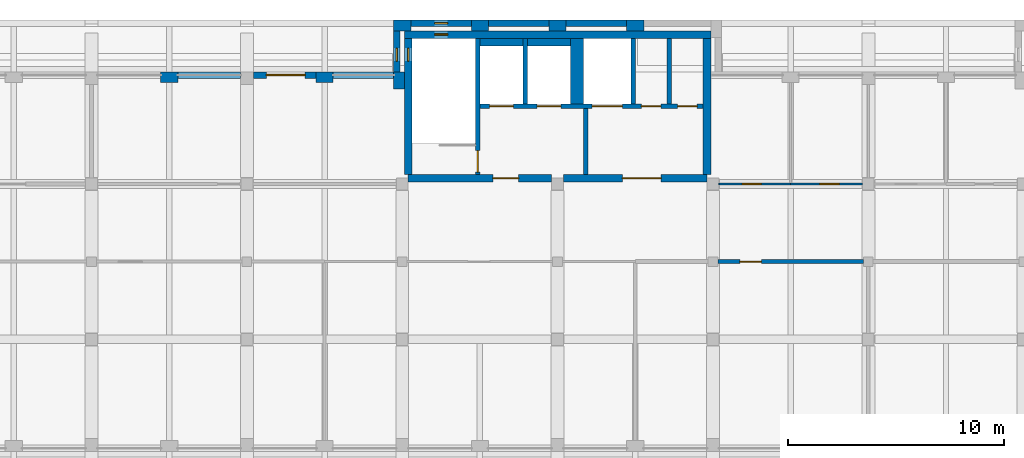
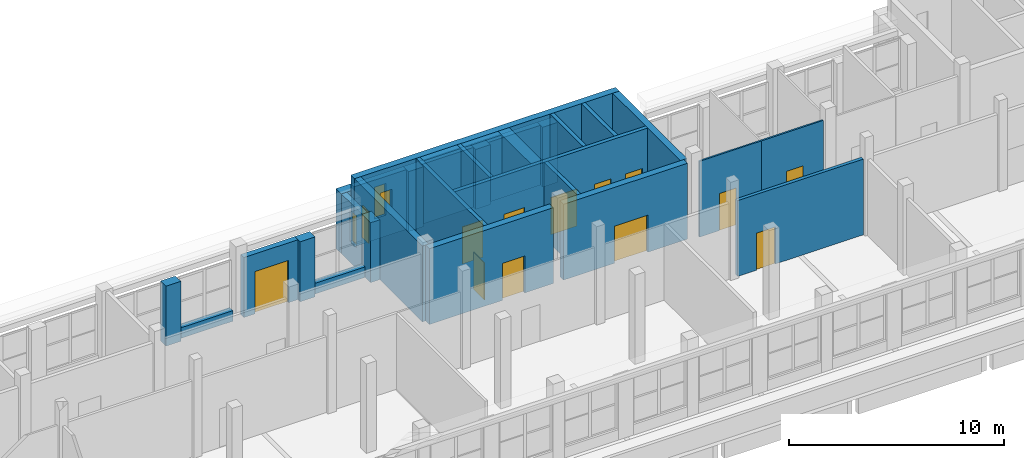
# One storey, part 19 of 30: 31 walls, 12 doors, 4 windows, 16 openings.
"""IFC4 building model written with IfcOpenShell, lengths in metres."""

from ifc_helpers import new_model, si_unit, direction, frame, frame_2d, origin, place, context, subcontext, project, spatial, rectangle, extrude, material, layer, layer_set, type_object, element, fill, save


model = new_model("IFC4")

# Units and contexts
model_context = context("Model", 3, precision=1e-05, world=origin(), true_north=direction((0.0, 1.0)))
body_context = subcontext(model_context, "Body", "Model", "MODEL_VIEW")
ifc_project = project(units=[si_unit("LENGTHUNIT", "METRE"), si_unit("AREAUNIT", "SQUARE_METRE"), si_unit("VOLUMEUNIT", "CUBIC_METRE"), si_unit("PLANEANGLEUNIT", "RADIAN"), si_unit("MASSUNIT", "GRAM", prefix="KILO")], contexts=[model_context])

# Site, building, storey
site_placement = place(None, origin())
site = spatial("IfcSite", under=ifc_project, at=site_placement, CompositionType="ELEMENT")
building_placement = place(site_placement, origin())
building = spatial("IfcBuilding", under=site, at=building_placement, Name="Ussher Court Research Institute", CompositionType="ELEMENT")
storey_placement = place(building_placement, frame((0.0, 0.0, 27.89990234375)))
storey = spatial("IfcBuildingStorey", under=building, at=storey_placement, Name="L06", CompositionType="ELEMENT", Elevation=27.89990234375)

# Wall, opening, door
ifc_material_1 = material(Name="Plasterboard on steel studs with mineral wool", Category="steel")
ifc_layer_1 = layer(ifc_material_1, 0.179931640625)
ifc_layer_set_1 = layer_set([ifc_layer_1], Name="Plasterboard on steel studs with mineral wool")
wall_type_1 = type_object("IfcWallType", Name="Acoustic twin-stud partition 180", PredefinedType="PARTITIONING", material=ifc_layer_set_1)
wall_1_placement = place(storey_placement, frame((67.574951171875, 79.60009765625, 0.0), z_axis=(0.0, 0.0, 1.0), x_axis=(-1.0, 0.0, 0.0)))
wall_1 = element("IfcWall", 1, at=wall_1_placement, inside=storey, type_object=wall_type_1, Name="Partition", PredefinedType="PARTITIONING", context=body_context, shape_type="SweptSolid", body=[
    extrude(rectangle(XDim=6.75, YDim=0.179931640625, at=frame_2d((3.375, 0.0))), origin(), (0.0, 0.0, 1.0), 4.300048828125),
])
opening_1_placement = place(wall_1_placement, frame((4.72509765625, 0.0, 0.0)))
opening_1 = element("IfcOpeningElement", 2, at=opening_1_placement, cuts=wall_1, Name="Opening D06015", PredefinedType="OPENING", context=body_context, shape_type="SweptSolid", body=[
    extrude(rectangle(XDim=1.0, YDim=2.10009765625, at=frame_2d((0.5, 1.050048828125))), frame((0.0, 0.10009765625, 0.0), z_axis=(0.0, -1.0, 0.0), x_axis=(1.0, 0.0, 0.0)), (0.0, 0.0, 1.0), 0.199951171875),
])
ifc_material_2 = material(Name="Veneered timber door", Category="wood")
door_type_1 = type_object("IfcDoorType", Name="Meeting room door 1000x2100", OperationType="NOTDEFINED", PredefinedType="DOOR", material=ifc_material_2)
door_1_placement = place(opening_1_placement, origin())
door_1 = element("IfcDoor", 3, at=door_1_placement, inside=storey, type_object=door_type_1, Name="Door D06015", OperationType="SINGLE_SWING_RIGHT", OverallHeight=2.10009765625, OverallWidth=1.0, PredefinedType="DOOR", context=body_context, shape_type="SweptSolid", body=[
    extrude(rectangle(XDim=1.0, YDim=2.10009765625, at=frame_2d((0.5, 1.050048828125))), frame((0.0, 0.02490234375, 0.0), z_axis=(0.0, -1.0, 0.0), x_axis=(1.0, 0.0, 0.0)), (0.0, 0.0, 1.0), 0.050048828125),
])
fill(opening_1, door_1)

# Wall
ifc_material_3 = material(Name="Blockwork with cream render", Category="masonry")
ifc_layer_2 = layer(ifc_material_3, 0.300048828125)
ifc_layer_set_2 = layer_set([ifc_layer_2], Name="Blockwork with cream render")
wall_type_2 = type_object("IfcWallType", Name="External wall 300 cream render", PredefinedType="SOLIDWALL", material=ifc_layer_set_2)
wall_2_placement = place(storey_placement, frame((35.800048828125, 88.25, 0.0), z_axis=(0.0, 0.0, 1.0), x_axis=(1.0, 0.0, 0.0)))
element("IfcWall", 4, at=wall_2_placement, inside=storey, type_object=wall_type_2, Name="Plinth wall EW1 L06", PredefinedType="SOLIDWALL", context=body_context, shape_type="SweptSolid", body=[
    extrude(rectangle(XDim=2.89990234375, YDim=0.300048828125, at=frame_2d((1.449951171875, 0.0))), origin(), (0.0, 0.0, 1.0), 0.60009765625),
])

# Wall, opening, door
wall_3_placement = place(storey_placement, frame((39.300048828125, 88.25, 0.0), z_axis=(0.0, 0.0, 1.0), x_axis=(1.0, 0.0, 0.0)))
wall_3 = element("IfcWall", 5, at=wall_3_placement, inside=storey, type_object=wall_type_2, Name="External wall EW1 L06", PredefinedType="SOLIDWALL", context=body_context, shape_type="SweptSolid", body=[
    extrude(rectangle(XDim=2.89990234375, YDim=0.300048828125, at=frame_2d((1.449951171875, 0.0))), origin(), (0.0, 0.0, 1.0), 3.400146484375),
])
opening_2_placement = place(wall_3_placement, frame((0.60009765625, 0.0, 0.0)))
opening_2 = element("IfcOpeningElement", 6, at=opening_2_placement, cuts=wall_3, Name="Opening DX30", PredefinedType="OPENING", context=body_context, shape_type="SweptSolid", body=[
    extrude(rectangle(XDim=1.800048828125, YDim=2.39990234375, at=frame_2d((0.89990234375, 1.199951171875))), frame((0.0, 0.16015625, 0.0), z_axis=(0.0, -1.0, 0.0), x_axis=(1.0, 0.0, 0.0)), (0.0, 0.0, 1.0), 0.320068359375),
])
ifc_material_4 = material(Name="Bronze anodised aluminium with toughened glass", Category="aluminium")
door_type_2 = type_object("IfcDoorType", Name="Terrace double door 1800x2400", OperationType="DOUBLE_DOOR_SINGLE_SWING", PredefinedType="DOOR", material=ifc_material_4)
door_2_placement = place(opening_2_placement, origin())
door_2 = element("IfcDoor", 7, at=door_2_placement, inside=storey, type_object=door_type_2, Name="Door DX30", OperationType="SINGLE_SWING_LEFT", OverallHeight=2.39990234375, OverallWidth=1.800048828125, PredefinedType="DOOR", context=body_context, shape_type="SweptSolid", body=[
    extrude(rectangle(XDim=1.800048828125, YDim=2.39990234375, at=frame_2d((0.89990234375, 1.199951171875))), frame((0.0, 0.02490234375, 0.0), z_axis=(0.0, -1.0, 0.0), x_axis=(1.0, 0.0, 0.0)), (0.0, 0.0, 1.0), 0.050048828125),
])
fill(opening_2, door_2)

# Wall
wall_4_placement = place(storey_placement, frame((43.0, 88.25, 0.0), z_axis=(0.0, 0.0, 1.0), x_axis=(1.0, 0.0, 0.0)))
element("IfcWall", 8, at=wall_4_placement, inside=storey, type_object=wall_type_2, Name="Plinth wall EW1 L06", PredefinedType="SOLIDWALL", context=body_context, shape_type="SweptSolid", body=[
    extrude(rectangle(XDim=2.800048828125, YDim=0.300048828125, at=frame_2d((1.39990234375, 0.0))), origin(), (0.0, 0.0, 1.0), 0.60009765625),
])

# Wall, opening, window
ifc_material_5 = material(Name="Limestone facing on blockwork", Category="masonry")
ifc_layer_3 = layer(ifc_material_5, 0.300048828125)
ifc_layer_set_3 = layer_set([ifc_layer_3], Name="Limestone facing on blockwork")
wall_type_3 = type_object("IfcWallType", Name="External wall 300 stair enclosure", PredefinedType="SOLIDWALL", material=ifc_layer_set_3)
wall_5_placement = place(storey_placement, frame((45.949951171875, 88.39990234375, 0.0), z_axis=(0.0, 0.0, 1.0), x_axis=(0.0, 1.0, 0.0)))
wall_5 = element("IfcWall", 9, at=wall_5_placement, inside=storey, type_object=wall_type_3, Name="External wall EW5 L06", PredefinedType="SOLIDWALL", context=body_context, shape_type="SweptSolid", body=[
    extrude(rectangle(XDim=1.900146484375, YDim=0.300048828125, at=frame_2d((0.9501953125, 0.0))), origin(), (0.0, 0.0, 1.0), 3.400146484375),
])
opening_3_placement = place(wall_5_placement, frame((0.5, 0.0, 1.199951171875)))
opening_3 = element("IfcOpeningElement", 10, at=opening_3_placement, cuts=wall_5, Name="Opening W25", PredefinedType="OPENING", context=body_context, shape_type="SweptSolid", body=[
    extrude(rectangle(XDim=0.60009765625, YDim=1.800048828125, at=frame_2d((0.300048828125, 0.89990234375))), frame((0.0, 0.16015625, 0.0), z_axis=(0.0, -1.0, 0.0), x_axis=(1.0, 0.0, 0.0)), (0.0, 0.0, 1.0), 0.320068359375),
])
ifc_material_6 = material(Name="Bronze anodised aluminium with double glazing", Category="aluminium")
window_type = type_object("IfcWindowType", Name="Stair light slot window 600x1800 fire-resisting glazing", PartitioningType="SINGLE_PANEL", PredefinedType="WINDOW", material=ifc_material_6)
window_1_placement = place(opening_3_placement, origin())
window_1 = element("IfcWindow", 11, at=window_1_placement, inside=storey, type_object=window_type, Name="Window W25 L06", OverallHeight=1.800048828125, OverallWidth=0.60009765625, PartitioningType="SINGLE_PANEL", PredefinedType="WINDOW", context=body_context, shape_type="SweptSolid", body=[
    extrude(rectangle(XDim=0.60009765625, YDim=1.800048828125, at=frame_2d((0.300048828125, 0.89990234375))), frame((0.0, 0.030029296875, 0.0), z_axis=(0.0, -1.0, 0.0), x_axis=(1.0, 0.0, 0.0)), (0.0, 0.0, 1.0), 0.06005859375),
])
fill(opening_3, window_1)

wall_6_placement = place(storey_placement, frame((46.60009765625, 90.64990234375, 0.0), z_axis=(0.0, 0.0, 1.0), x_axis=(1.0, 0.0, 0.0)))
wall_6 = element("IfcWall", 12, at=wall_6_placement, inside=storey, type_object=wall_type_3, Name="External wall EW5 L06", PredefinedType="SOLIDWALL", context=body_context, shape_type="SweptSolid", body=[
    extrude(rectangle(XDim=2.7998046875, YDim=0.300048828125, at=frame_2d((1.39990234375, 0.0))), origin(), (0.0, 0.0, 1.0), 3.400146484375),
])
opening_4_placement = place(wall_6_placement, frame((1.10009765625, 0.0, 1.199951171875)))
opening_4 = element("IfcOpeningElement", 13, at=opening_4_placement, cuts=wall_6, Name="Opening W25", PredefinedType="OPENING", context=body_context, shape_type="SweptSolid", body=[
    extrude(rectangle(XDim=0.60009765625, YDim=1.800048828125, at=frame_2d((0.300048828125, 0.89990234375))), frame((0.0, 0.16015625, 0.0), z_axis=(0.0, -1.0, 0.0), x_axis=(1.0, 0.0, 0.0)), (0.0, 0.0, 1.0), 0.320068359375),
])
window_2_placement = place(opening_4_placement, origin())
window_2 = element("IfcWindow", 14, at=window_2_placement, inside=storey, type_object=window_type, Name="Window W25 L06", OverallHeight=1.800048828125, OverallWidth=0.60009765625, PartitioningType="SINGLE_PANEL", PredefinedType="WINDOW", context=body_context, shape_type="SweptSolid", body=[
    extrude(rectangle(XDim=0.60009765625, YDim=1.800048828125, at=frame_2d((0.300048828125, 0.89990234375))), frame((0.0, 0.030029296875, 0.0), z_axis=(0.0, -1.0, 0.0), x_axis=(1.0, 0.0, 0.0)), (0.0, 0.0, 1.0), 0.06005859375),
])
fill(opening_4, window_2)

# Walls
for number, where, z_axis, x_axis, name in (
    (15, (50.199951171875, 90.64990234375, 0.0), (0.0, 0.0, 1.0), (1.0, 0.0, 0.0), "External wall EW5 L06"),
    (16, (53.800048828125, 90.64990234375, 0.0), (0.0, 0.0, 1.0), (1.0, 0.0, 0.0), "External wall EW5 L06"),
):
    element("IfcWall", number, at=place(storey_placement, frame(where, z_axis=z_axis, x_axis=x_axis)), inside=storey, type_object=wall_type_3, Name=name, PredefinedType="SOLIDWALL", context=body_context, shape_type="SweptSolid", body=[
        extrude(rectangle(XDim=2.800048828125, YDim=0.300048828125, at=frame_2d((1.39990234375, 0.0))), origin(), (0.0, 0.0, 1.0), 3.400146484375),
    ])
ifc_material_7 = material(Name="Blockwork with cream render", Category="masonry")
ifc_layer_4 = layer(ifc_material_7, 0.5)
ifc_layer_set_4 = layer_set([ifc_layer_4], Name="Blockwork with cream render")
wall_type_4 = type_object("IfcWallType", Name="Pier 800x500 cream render", PredefinedType="SOLIDWALL", material=ifc_layer_set_4)
for number, where, z_axis, x_axis, name in (
    (17, (35.0, 88.14990234375, 0.0), (0.0, 0.0, 1.0), (1.0, 0.0, 0.0), "Pier PR1 L06"),
    (18, (42.199951171875, 88.14990234375, 0.0), (0.0, 0.0, 1.0), (1.0, 0.0, 0.0), "Pier PR1 L06"),
):
    element("IfcWall", number, at=place(storey_placement, frame(where, z_axis=z_axis, x_axis=x_axis)), inside=storey, type_object=wall_type_4, Name=name, PredefinedType="SOLIDWALL", context=body_context, shape_type="SweptSolid", body=[
        extrude(rectangle(XDim=0.800048828125, YDim=0.5, at=frame_2d((0.39990234375, 0.0))), origin(), (0.0, 0.0, 1.0), 3.400146484375),
    ])
wall_7_placement = place(storey_placement, frame((46.050048828125, 87.60009765625, 0.0), z_axis=(0.0, 0.0, 1.0), x_axis=(0.0, 1.0, 0.0)))
element("IfcWall", 19, at=wall_7_placement, inside=storey, type_object=wall_type_4, Name="Pier PR1 L06", PredefinedType="SOLIDWALL", context=body_context, shape_type="SweptSolid", body=[
    extrude(rectangle(XDim=0.7998046875, YDim=0.5, at=frame_2d((0.39990234375, 0.0))), origin(), (0.0, 0.0, 1.0), 3.400146484375),
])
for number, where, z_axis, x_axis, name in (
    (20, (45.800048828125, 90.550048828125, 0.0), (0.0, 0.0, 1.0), (1.0, 0.0, 0.0), "Pier PR1 L06"),
    (21, (49.39990234375, 90.550048828125, 0.0), (0.0, 0.0, 1.0), (1.0, 0.0, 0.0), "Pier PR1 L06"),
    (22, (53.0, 90.550048828125, 0.0), (0.0, 0.0, 1.0), (1.0, 0.0, 0.0), "Pier PR1 L06"),
):
    element("IfcWall", number, at=place(storey_placement, frame(where, z_axis=z_axis, x_axis=x_axis)), inside=storey, type_object=wall_type_4, Name=name, PredefinedType="SOLIDWALL", context=body_context, shape_type="SweptSolid", body=[
        extrude(rectangle(XDim=0.800048828125, YDim=0.5, at=frame_2d((0.39990234375, 0.0))), origin(), (0.0, 0.0, 1.0), 3.400146484375),
    ])
wall_8_placement = place(storey_placement, frame((56.60009765625, 90.550048828125, 0.0), z_axis=(0.0, 0.0, 1.0), x_axis=(1.0, 0.0, 0.0)))
element("IfcWall", 23, at=wall_8_placement, inside=storey, type_object=wall_type_4, Name="Pier PR1 L06", PredefinedType="SOLIDWALL", context=body_context, shape_type="SweptSolid", body=[
    extrude(rectangle(XDim=0.7998046875, YDim=0.5, at=frame_2d((0.39990234375, 0.0))), origin(), (0.0, 0.0, 1.0), 3.400146484375),
])

# Wall, opening, door
ifc_material_8 = material(Name="Concrete C35/45", Category="concrete")
ifc_layer_5 = layer(ifc_material_8, 0.199951171875)
ifc_layer_set_5 = layer_set([ifc_layer_5], Name="Concrete C35/45")
wall_type_5 = type_object("IfcWallType", Name="RC core wall 200", PredefinedType="SHEAR", material=ifc_layer_set_5)
wall_9_placement = place(storey_placement, frame((49.699951171875, 83.64990234375, 0.0), z_axis=(0.0, 0.0, 1.0), x_axis=(0.0, 1.0, 0.0)))
wall_9 = element("IfcWall", 24, at=wall_9_placement, inside=storey, type_object=wall_type_5, Name="Core wall D2", PredefinedType="SHEAR", context=body_context, shape_type="SweptSolid", body=[
    extrude(rectangle(XDim=6.300048828125, YDim=0.199951171875, at=frame_2d((3.14990234375, 0.0))), origin(), (0.0, 0.0, 1.0), 4.300048828125),
])
opening_5_placement = place(wall_9_placement, frame((0.10009765625, 0.0, 0.0)))
opening_5 = element("IfcOpeningElement", 25, at=opening_5_placement, cuts=wall_9, Name="Opening D06009", PredefinedType="OPENING", context=body_context, shape_type="SweptSolid", body=[
    extrude(rectangle(XDim=1.0, YDim=2.10009765625, at=frame_2d((0.5, 1.050048828125))), frame((0.0, 0.10986328125, 0.0), z_axis=(0.0, -1.0, 0.0), x_axis=(1.0, 0.0, 0.0)), (0.0, 0.0, 1.0), 0.219970703125),
])
ifc_material_9 = material(Name="Painted steel faced fire door", Category="steel")
door_type_3 = type_object("IfcDoorType", Name="Fire door 1000x2100 FD60", OperationType="NOTDEFINED", PredefinedType="DOOR", material=ifc_material_9)
door_3_placement = place(opening_5_placement, origin())
door_3 = element("IfcDoor", 26, at=door_3_placement, inside=storey, type_object=door_type_3, Name="Door D06009", OperationType="SINGLE_SWING_LEFT", OverallHeight=2.10009765625, OverallWidth=1.0, PredefinedType="DOOR", context=body_context, shape_type="SweptSolid", body=[
    extrude(rectangle(XDim=1.0, YDim=2.10009765625, at=frame_2d((0.5, 1.050048828125))), frame((0.0, 0.02490234375, 0.0), z_axis=(0.0, -1.0, 0.0), x_axis=(1.0, 0.0, 0.0)), (0.0, 0.0, 1.0), 0.050048828125),
])
fill(opening_5, door_3)

# Wall
wall_10_placement = place(storey_placement, frame((54.699951171875, 83.64990234375, 0.0), z_axis=(0.0, 0.0, 1.0), x_axis=(0.0, 1.0, 0.0)))
element("IfcWall", 27, at=wall_10_placement, inside=storey, type_object=wall_type_5, Name="Core wall D2", PredefinedType="SHEAR", context=body_context, shape_type="SweptSolid", body=[
    extrude(rectangle(XDim=3.050048828125, YDim=0.199951171875, at=frame_2d((1.52490234375, 0.0))), origin(), (0.0, 0.0, 1.0), 4.300048828125),
])

# Wall, openings, doors
wall_11_placement = place(storey_placement, frame((60.14990234375, 86.800048828125, 0.0), z_axis=(0.0, 0.0, 1.0), x_axis=(-1.0, 0.0, 0.0)))
wall_11 = element("IfcWall", 28, at=wall_11_placement, inside=storey, type_object=wall_type_5, Name="Core wall D2", PredefinedType="SHEAR", context=body_context, shape_type="SweptSolid", body=[
    extrude(rectangle(XDim=10.349853515625, YDim=0.199951171875, at=frame_2d((5.1748046875, 0.0))), origin(), (0.0, 0.0, 1.0), 4.300048828125),
])
opening_6_placement = place(wall_11_placement, frame((8.800048828125, 0.0, 0.0)))
opening_6 = element("IfcOpeningElement", 29, at=opening_6_placement, cuts=wall_11, Name="Opening LD65", PredefinedType="OPENING", context=body_context, shape_type="SweptSolid", body=[
    extrude(rectangle(XDim=1.10009765625, YDim=2.10009765625, at=frame_2d((0.550048828125, 1.050048828125))), frame((0.0, 0.10986328125, 0.0), z_axis=(0.0, -1.0, 0.0), x_axis=(1.0, 0.0, 0.0)), (0.0, 0.0, 1.0), 0.219970703125),
])
opening_7_placement = place(wall_11_placement, frame((6.60009765625, 0.0, 0.0)))
opening_7 = element("IfcOpeningElement", 30, at=opening_7_placement, cuts=wall_11, Name="Opening LD66", PredefinedType="OPENING", context=body_context, shape_type="SweptSolid", body=[
    extrude(rectangle(XDim=1.10009765625, YDim=2.10009765625, at=frame_2d((0.550048828125, 1.050048828125))), frame((0.0, 0.10986328125, 0.0), z_axis=(0.0, -1.0, 0.0), x_axis=(1.0, 0.0, 0.0)), (0.0, 0.0, 1.0), 0.219970703125),
])
opening_8_placement = place(wall_11_placement, frame((3.75, 0.0, 0.0)))
opening_8 = element("IfcOpeningElement", 31, at=opening_8_placement, cuts=wall_11, Name="Opening LD67", PredefinedType="OPENING", context=body_context, shape_type="SweptSolid", body=[
    extrude(rectangle(XDim=1.39990234375, YDim=2.10009765625, at=frame_2d((0.699951171875, 1.050048828125))), frame((0.0, 0.10986328125, 0.0), z_axis=(0.0, -1.0, 0.0), x_axis=(1.0, 0.0, 0.0)), (0.0, 0.0, 1.0), 0.219970703125),
])
opening_9_placement = place(wall_11_placement, frame((1.96240234375, 0.0, 0.0)))
opening_9 = element("IfcOpeningElement", 32, at=opening_9_placement, cuts=wall_11, Name="Opening D06013", PredefinedType="OPENING", context=body_context, shape_type="SweptSolid", body=[
    extrude(rectangle(XDim=0.89990234375, YDim=2.10009765625, at=frame_2d((0.449951171875, 1.050048828125))), frame((0.0, 0.10986328125, 0.0), z_axis=(0.0, -1.0, 0.0), x_axis=(1.0, 0.0, 0.0)), (0.0, 0.0, 1.0), 0.219970703125),
])
opening_10_placement = place(wall_11_placement, frame((0.28759765625, 0.0, 0.0)))
opening_10 = element("IfcOpeningElement", 33, at=opening_10_placement, cuts=wall_11, Name="Opening D06014", PredefinedType="OPENING", context=body_context, shape_type="SweptSolid", body=[
    extrude(rectangle(XDim=0.89990234375, YDim=2.10009765625, at=frame_2d((0.449951171875, 1.050048828125))), frame((0.0, 0.10986328125, 0.0), z_axis=(0.0, -1.0, 0.0), x_axis=(1.0, 0.0, 0.0)), (0.0, 0.0, 1.0), 0.219970703125),
])
ifc_material_10 = material(Name="Painted steel faced fire door", Category="steel")
door_type_4 = type_object("IfcDoorType", Name="Fire door 900x2100 FD60", OperationType="NOTDEFINED", PredefinedType="DOOR", material=ifc_material_10)
door_4_placement = place(opening_9_placement, origin())
door_4 = element("IfcDoor", 34, at=door_4_placement, inside=storey, type_object=door_type_4, Name="Door D06013", OperationType="SINGLE_SWING_LEFT", OverallHeight=2.10009765625, OverallWidth=0.89990234375, PredefinedType="DOOR", context=body_context, shape_type="SweptSolid", body=[
    extrude(rectangle(XDim=0.89990234375, YDim=2.10009765625, at=frame_2d((0.449951171875, 1.050048828125))), frame((0.0, 0.02490234375, 0.0), z_axis=(0.0, -1.0, 0.0), x_axis=(1.0, 0.0, 0.0)), (0.0, 0.0, 1.0), 0.050048828125),
])
fill(opening_9, door_4)
door_5_placement = place(opening_10_placement, origin())
door_5 = element("IfcDoor", 35, at=door_5_placement, inside=storey, type_object=door_type_4, Name="Door D06014", OperationType="SINGLE_SWING_LEFT", OverallHeight=2.10009765625, OverallWidth=0.89990234375, PredefinedType="DOOR", context=body_context, shape_type="SweptSolid", body=[
    extrude(rectangle(XDim=0.89990234375, YDim=2.10009765625, at=frame_2d((0.449951171875, 1.050048828125))), frame((0.0, 0.02490234375, 0.0), z_axis=(0.0, -1.0, 0.0), x_axis=(1.0, 0.0, 0.0)), (0.0, 0.0, 1.0), 0.050048828125),
])
fill(opening_10, door_5)
ifc_material_11 = material(Name="Stainless steel lift door", Category="steel")
door_type_5 = type_object("IfcDoorType", Name="Lift landing door 1100x2100 sliding", OperationType="DOUBLE_DOOR_SLIDING", PredefinedType="DOOR", material=ifc_material_11)
door_6_placement = place(opening_6_placement, origin())
door_6 = element("IfcDoor", 36, at=door_6_placement, inside=storey, type_object=door_type_5, Name="Landing door D2-1 L06", OperationType="DOUBLE_DOOR_SLIDING", OverallHeight=2.10009765625, OverallWidth=1.10009765625, PredefinedType="DOOR", context=body_context, shape_type="SweptSolid", body=[
    extrude(rectangle(XDim=1.10009765625, YDim=2.10009765625, at=frame_2d((0.550048828125, 1.050048828125))), frame((0.0, 0.02490234375, 0.0), z_axis=(0.0, -1.0, 0.0), x_axis=(1.0, 0.0, 0.0)), (0.0, 0.0, 1.0), 0.050048828125),
])
fill(opening_6, door_6)
door_7_placement = place(opening_7_placement, origin())
door_7 = element("IfcDoor", 37, at=door_7_placement, inside=storey, type_object=door_type_5, Name="Landing door D2-2 L06", OperationType="DOUBLE_DOOR_SLIDING", OverallHeight=2.10009765625, OverallWidth=1.10009765625, PredefinedType="DOOR", context=body_context, shape_type="SweptSolid", body=[
    extrude(rectangle(XDim=1.10009765625, YDim=2.10009765625, at=frame_2d((0.550048828125, 1.050048828125))), frame((0.0, 0.02490234375, 0.0), z_axis=(0.0, -1.0, 0.0), x_axis=(1.0, 0.0, 0.0)), (0.0, 0.0, 1.0), 0.050048828125),
])
fill(opening_7, door_7)
ifc_material_12 = material(Name="Stainless steel lift door", Category="steel")
door_type_6 = type_object("IfcDoorType", Name="Lift landing door 1400x2100 sliding", OperationType="DOUBLE_DOOR_SLIDING", PredefinedType="DOOR", material=ifc_material_12)
door_8_placement = place(opening_8_placement, origin())
door_8 = element("IfcDoor", 38, at=door_8_placement, inside=storey, type_object=door_type_6, Name="Landing door D2-3 L06", OperationType="DOUBLE_DOOR_SLIDING", OverallHeight=2.10009765625, OverallWidth=1.39990234375, PredefinedType="DOOR", context=body_context, shape_type="SweptSolid", body=[
    extrude(rectangle(XDim=1.39990234375, YDim=2.10009765625, at=frame_2d((0.699951171875, 1.050048828125))), frame((0.0, 0.02490234375, 0.0), z_axis=(0.0, -1.0, 0.0), x_axis=(1.0, 0.0, 0.0)), (0.0, 0.0, 1.0), 0.050048828125),
])
fill(opening_8, door_8)

# Walls
for number, where, z_axis, x_axis, name in (
    (39, (51.89990234375, 86.89990234375, 0.0), (0.0, 0.0, 1.0), (0.0, 1.0, 0.0), "Core wall D2"),
    (40, (56.89990234375, 86.89990234375, 0.0), (0.0, 0.0, 1.0), (0.0, 1.0, 0.0), "Core wall D2"),
    (41, (58.574951171875, 86.89990234375, 0.0), (0.0, 0.0, 1.0), (0.0, 1.0, 0.0), "Core wall D2"),
):
    element("IfcWall", number, at=place(storey_placement, frame(where, z_axis=z_axis, x_axis=x_axis)), inside=storey, type_object=wall_type_5, Name=name, PredefinedType="SHEAR", context=body_context, shape_type="SweptSolid", body=[
        extrude(rectangle(XDim=3.050048828125, YDim=0.199951171875, at=frame_2d((1.52490234375, 0.0))), origin(), (0.0, 0.0, 1.0), 4.300048828125),
    ])

# Wall, opening, door
ifc_material_13 = material(Name="Concrete C35/45", Category="concrete")
ifc_layer_6 = layer(ifc_material_13, 0.35009765625)
ifc_layer_set_6 = layer_set([ifc_layer_6], Name="Concrete C35/45")
wall_type_6 = type_object("IfcWallType", Name="RC core wall 350", PredefinedType="SHEAR", material=ifc_layer_set_6)
wall_12_placement = place(storey_placement, frame((46.47509765625, 83.47509765625, 0.0), z_axis=(0.0, 0.0, 1.0), x_axis=(1.0, 0.0, 0.0)))
wall_12 = element("IfcWall", 42, at=wall_12_placement, inside=storey, type_object=wall_type_6, Name="Core wall D2", PredefinedType="SHEAR", context=body_context, shape_type="SweptSolid", body=[
    extrude(rectangle(XDim=6.64990234375, YDim=0.35009765625, at=frame_2d((3.324951171875, 0.0))), origin(), (0.0, 0.0, 1.0), 4.300048828125),
])
opening_11_placement = place(wall_12_placement, frame((3.925048828125, 0.0, 0.0)))
opening_11 = element("IfcOpeningElement", 43, at=opening_11_placement, cuts=wall_12, Name="Opening D06011", PredefinedType="OPENING", context=body_context, shape_type="SweptSolid", body=[
    extrude(rectangle(XDim=1.199951171875, YDim=2.10009765625, at=frame_2d((0.60009765625, 1.050048828125))), frame((0.0, 0.18505859375, 0.0), z_axis=(0.0, -1.0, 0.0), x_axis=(1.0, 0.0, 0.0)), (0.0, 0.0, 1.0), 0.3701171875),
])
ifc_material_14 = material(Name="Painted steel faced fire door", Category="steel")
door_type_7 = type_object("IfcDoorType", Name="Fire door 1200x2100 FD60", OperationType="NOTDEFINED", PredefinedType="DOOR", material=ifc_material_14)
door_9_placement = place(opening_11_placement, origin())
door_9 = element("IfcDoor", 44, at=door_9_placement, inside=storey, type_object=door_type_7, Name="Door D06011", OperationType="SINGLE_SWING_RIGHT", OverallHeight=2.10009765625, OverallWidth=1.199951171875, PredefinedType="DOOR", context=body_context, shape_type="SweptSolid", body=[
    extrude(rectangle(XDim=1.199951171875, YDim=2.10009765625, at=frame_2d((0.60009765625, 1.050048828125))), frame((0.0, 0.02490234375, 0.0), z_axis=(0.0, -1.0, 0.0), x_axis=(1.0, 0.0, 0.0)), (0.0, 0.0, 1.0), 0.050048828125),
])
fill(opening_11, door_9)

wall_13_placement = place(storey_placement, frame((53.675048828125, 83.47509765625, 0.0), z_axis=(0.0, 0.0, 1.0), x_axis=(1.0, 0.0, 0.0)))
wall_13 = element("IfcWall", 45, at=wall_13_placement, inside=storey, type_object=wall_type_6, Name="Core wall D2", PredefinedType="SHEAR", context=body_context, shape_type="SweptSolid", body=[
    extrude(rectangle(XDim=6.64990234375, YDim=0.35009765625, at=frame_2d((3.324951171875, 0.0))), origin(), (0.0, 0.0, 1.0), 4.300048828125),
])
opening_12_placement = place(wall_13_placement, frame((2.72509765625, 0.0, 0.0)))
opening_12 = element("IfcOpeningElement", 46, at=opening_12_placement, cuts=wall_13, Name="Opening D06012", PredefinedType="OPENING", context=body_context, shape_type="SweptSolid", body=[
    extrude(rectangle(XDim=1.800048828125, YDim=2.10009765625, at=frame_2d((0.89990234375, 1.050048828125))), frame((0.0, 0.18505859375, 0.0), z_axis=(0.0, -1.0, 0.0), x_axis=(1.0, 0.0, 0.0)), (0.0, 0.0, 1.0), 0.3701171875),
])
ifc_material_15 = material(Name="Painted steel faced fire door", Category="steel")
door_type_8 = type_object("IfcDoorType", Name="Fire door 1800x2100 FD60 double leaf", OperationType="DOUBLE_DOOR_SINGLE_SWING", PredefinedType="DOOR", material=ifc_material_15)
door_10_placement = place(opening_12_placement, origin())
door_10 = element("IfcDoor", 47, at=door_10_placement, inside=storey, type_object=door_type_8, Name="Door D06012", OperationType="SINGLE_SWING_LEFT", OverallHeight=2.10009765625, OverallWidth=1.800048828125, PredefinedType="DOOR", context=body_context, shape_type="SweptSolid", body=[
    extrude(rectangle(XDim=1.800048828125, YDim=2.10009765625, at=frame_2d((0.89990234375, 1.050048828125))), frame((0.0, 0.02490234375, 0.0), z_axis=(0.0, -1.0, 0.0), x_axis=(1.0, 0.0, 0.0)), (0.0, 0.0, 1.0), 0.050048828125),
])
fill(opening_12, door_10)

# Wall, opening, window
wall_14_placement = place(storey_placement, frame((46.300048828125, 90.125, 0.0), z_axis=(0.0, 0.0, 1.0), x_axis=(1.0, 0.0, 0.0)))
wall_14 = element("IfcWall", 48, at=wall_14_placement, inside=storey, type_object=wall_type_6, Name="Core wall D2", PredefinedType="SHEAR", context=body_context, shape_type="SweptSolid", body=[
    extrude(rectangle(XDim=14.199951171875, YDim=0.35009765625, at=frame_2d((7.10009765625, 0.0))), origin(), (0.0, 0.0, 1.0), 4.300048828125),
])
opening_13_placement = place(wall_14_placement, frame((1.39990234375, 0.0, 1.199951171875)))
opening_13 = element("IfcOpeningElement", 49, at=opening_13_placement, cuts=wall_14, Name="Opening W25", PredefinedType="OPENING", context=body_context, shape_type="SweptSolid", body=[
    extrude(rectangle(XDim=0.60009765625, YDim=1.800048828125, at=frame_2d((0.300048828125, 0.89990234375))), frame((0.0, 0.18505859375, 0.0), z_axis=(0.0, -1.0, 0.0), x_axis=(1.0, 0.0, 0.0)), (0.0, 0.0, 1.0), 0.3701171875),
])
window_3_placement = place(opening_13_placement, origin())
window_3 = element("IfcWindow", 50, at=window_3_placement, inside=storey, type_object=window_type, Name="Window stair light D2 L06", OverallHeight=1.800048828125, OverallWidth=0.60009765625, PartitioningType="SINGLE_PANEL", PredefinedType="WINDOW", context=body_context, shape_type="SweptSolid", body=[
    extrude(rectangle(XDim=0.60009765625, YDim=1.800048828125, at=frame_2d((0.300048828125, 0.89990234375))), frame((0.0, 0.030029296875, 0.0), z_axis=(0.0, -1.0, 0.0), x_axis=(1.0, 0.0, 0.0)), (0.0, 0.0, 1.0), 0.06005859375),
])
fill(opening_13, window_3)

wall_15_placement = place(storey_placement, frame((46.47509765625, 83.64990234375, 0.0), z_axis=(0.0, 0.0, 1.0), x_axis=(0.0, 1.0, 0.0)))
wall_15 = element("IfcWall", 51, at=wall_15_placement, inside=storey, type_object=wall_type_6, Name="Core wall D2", PredefinedType="SHEAR", context=body_context, shape_type="SweptSolid", body=[
    extrude(rectangle(XDim=6.300048828125, YDim=0.35009765625, at=frame_2d((3.14990234375, 0.0))), origin(), (0.0, 0.0, 1.0), 4.300048828125),
])
opening_14_placement = place(wall_15_placement, frame((5.25, 0.0, 1.199951171875)))
opening_14 = element("IfcOpeningElement", 52, at=opening_14_placement, cuts=wall_15, Name="Opening W25", PredefinedType="OPENING", context=body_context, shape_type="SweptSolid", body=[
    extrude(rectangle(XDim=0.60009765625, YDim=1.800048828125, at=frame_2d((0.300048828125, 0.89990234375))), frame((0.0, 0.18505859375, 0.0), z_axis=(0.0, -1.0, 0.0), x_axis=(1.0, 0.0, 0.0)), (0.0, 0.0, 1.0), 0.3701171875),
])
window_4_placement = place(opening_14_placement, origin())
window_4 = element("IfcWindow", 53, at=window_4_placement, inside=storey, type_object=window_type, Name="Window stair light D2 L06", OverallHeight=1.800048828125, OverallWidth=0.60009765625, PartitioningType="SINGLE_PANEL", PredefinedType="WINDOW", context=body_context, shape_type="SweptSolid", body=[
    extrude(rectangle(XDim=0.60009765625, YDim=1.800048828125, at=frame_2d((0.300048828125, 0.89990234375))), frame((0.0, 0.030029296875, 0.0), z_axis=(0.0, -1.0, 0.0), x_axis=(1.0, 0.0, 0.0)), (0.0, 0.0, 1.0), 0.06005859375),
])
fill(opening_14, window_4)

# Walls
wall_16_placement = place(storey_placement, frame((60.324951171875, 83.64990234375, 0.0), z_axis=(0.0, 0.0, 1.0), x_axis=(0.0, 1.0, 0.0)))
element("IfcWall", 54, at=wall_16_placement, inside=storey, type_object=wall_type_6, Name="Core wall D2", PredefinedType="SHEAR", context=body_context, shape_type="SweptSolid", body=[
    extrude(rectangle(XDim=6.300048828125, YDim=0.35009765625, at=frame_2d((3.14990234375, 0.0))), origin(), (0.0, 0.0, 1.0), 4.300048828125),
])
for number, where, z_axis, x_axis, name in (
    (55, (49.800048828125, 89.77490234375, 0.0), (0.0, 0.0, 1.0), (1.0, 0.0, 0.0), "Core wall D2"),
    (56, (52.0, 89.77490234375, 0.0), (0.0, 0.0, 1.0), (1.0, 0.0, 0.0), "Core wall D2"),
):
    element("IfcWall", number, at=place(storey_placement, frame(where, z_axis=z_axis, x_axis=x_axis)), inside=storey, type_object=wall_type_6, Name=name, PredefinedType="SHEAR", context=body_context, shape_type="SweptSolid", body=[
        extrude(rectangle(XDim=2.0, YDim=0.35009765625, at=frame_2d((1.0, 0.0))), origin(), (0.0, 0.0, 1.0), 4.300048828125),
    ])
ifc_material_16 = material(Name="Concrete C35/45", Category="concrete")
ifc_layer_7 = layer(ifc_material_16, 0.60009765625)
ifc_layer_set_7 = layer_set([ifc_layer_7], Name="Concrete C35/45")
wall_type_7 = type_object("IfcWallType", Name="RC core wall 600", PredefinedType="SHEAR", material=ifc_layer_set_7)
wall_17_placement = place(storey_placement, frame((54.300048828125, 86.89990234375, 0.0), z_axis=(0.0, 0.0, 1.0), x_axis=(0.0, 1.0, 0.0)))
element("IfcWall", 57, at=wall_17_placement, inside=storey, type_object=wall_type_7, Name="Core wall D2", PredefinedType="SHEAR", context=body_context, shape_type="SweptSolid", body=[
    extrude(rectangle(XDim=3.050048828125, YDim=0.60009765625, at=frame_2d((1.52490234375, 0.0))), origin(), (0.0, 0.0, 1.0), 4.300048828125),
])

# Wall, opening, door
ifc_material_17 = material(Name="Moisture-resistant board on steel studs", Category="steel")
ifc_layer_8 = layer(ifc_material_17, 0.090087890625)
ifc_layer_set_8 = layer_set([ifc_layer_8], Name="Moisture-resistant board on steel studs")
wall_type_8 = type_object("IfcWallType", Name="WC lining partition 90", PredefinedType="PARTITIONING", material=ifc_layer_set_8)
wall_18_placement = place(storey_placement, frame((60.875, 83.199951171875, 0.0), z_axis=(0.0, 0.0, 1.0), x_axis=(1.0, 0.0, 0.0)))
wall_18 = element("IfcWall", 58, at=wall_18_placement, inside=storey, type_object=wall_type_8, Name="Partition", PredefinedType="PARTITIONING", context=body_context, shape_type="SweptSolid", body=[
    extrude(rectangle(XDim=3.324951171875, YDim=0.090087890625, at=frame_2d((1.66259765625, 0.0))), origin(), (0.0, 0.0, 1.0), 4.300048828125),
])
opening_15_placement = place(wall_18_placement, frame((1.074951171875, 0.0, 0.0)))
opening_15 = element("IfcOpeningElement", 59, at=opening_15_placement, cuts=wall_18, Name="Opening D06016", PredefinedType="OPENING", context=body_context, shape_type="SweptSolid", body=[
    extrude(rectangle(XDim=0.89990234375, YDim=2.10009765625, at=frame_2d((0.449951171875, 1.050048828125))), frame((0.0, 0.05517578125, 0.0), z_axis=(0.0, -1.0, 0.0), x_axis=(1.0, 0.0, 0.0)), (0.0, 0.0, 1.0), 0.110107421875),
])
ifc_material_18 = material(Name="Veneered timber door", Category="wood")
door_type_9 = type_object("IfcDoorType", Name="WC door 900x2100", OperationType="NOTDEFINED", PredefinedType="DOOR", material=ifc_material_18)
door_11_placement = place(opening_15_placement, origin())
door_11 = element("IfcDoor", 60, at=door_11_placement, inside=storey, type_object=door_type_9, Name="Door D06016", OperationType="SINGLE_SWING_LEFT", OverallHeight=2.10009765625, OverallWidth=0.89990234375, PredefinedType="DOOR", context=body_context, shape_type="SweptSolid", body=[
    extrude(rectangle(XDim=0.89990234375, YDim=2.10009765625, at=frame_2d((0.449951171875, 1.050048828125))), frame((0.0, 0.02490234375, 0.0), z_axis=(0.0, -1.0, 0.0), x_axis=(1.0, 0.0, 0.0)), (0.0, 0.0, 1.0), 0.050048828125),
])
fill(opening_15, door_11)

wall_19_placement = place(storey_placement, frame((64.199951171875, 83.199951171875, 0.0), z_axis=(0.0, 0.0, 1.0), x_axis=(1.0, 0.0, 0.0)))
wall_19 = element("IfcWall", 61, at=wall_19_placement, inside=storey, type_object=wall_type_8, Name="Partition", PredefinedType="PARTITIONING", context=body_context, shape_type="SweptSolid", body=[
    extrude(rectangle(XDim=3.324951171875, YDim=0.090087890625, at=frame_2d((1.66259765625, 0.0))), origin(), (0.0, 0.0, 1.0), 4.300048828125),
])
opening_16_placement = place(wall_19_placement, frame((1.35009765625, 0.0, 0.0)))
opening_16 = element("IfcOpeningElement", 62, at=opening_16_placement, cuts=wall_19, Name="Opening D06017", PredefinedType="OPENING", context=body_context, shape_type="SweptSolid", body=[
    extrude(rectangle(XDim=0.89990234375, YDim=2.10009765625, at=frame_2d((0.449951171875, 1.050048828125))), frame((0.0, 0.05517578125, 0.0), z_axis=(0.0, -1.0, 0.0), x_axis=(1.0, 0.0, 0.0)), (0.0, 0.0, 1.0), 0.110107421875),
])
door_12_placement = place(opening_16_placement, origin())
door_12 = element("IfcDoor", 63, at=door_12_placement, inside=storey, type_object=door_type_9, Name="Door D06017", OperationType="SINGLE_SWING_RIGHT", OverallHeight=2.10009765625, OverallWidth=0.89990234375, PredefinedType="DOOR", context=body_context, shape_type="SweptSolid", body=[
    extrude(rectangle(XDim=0.89990234375, YDim=2.10009765625, at=frame_2d((0.449951171875, 1.050048828125))), frame((0.0, 0.02490234375, 0.0), z_axis=(0.0, -1.0, 0.0), x_axis=(1.0, 0.0, 0.0)), (0.0, 0.0, 1.0), 0.050048828125),
])
fill(opening_16, door_12)

save(model, "model.ifc")
